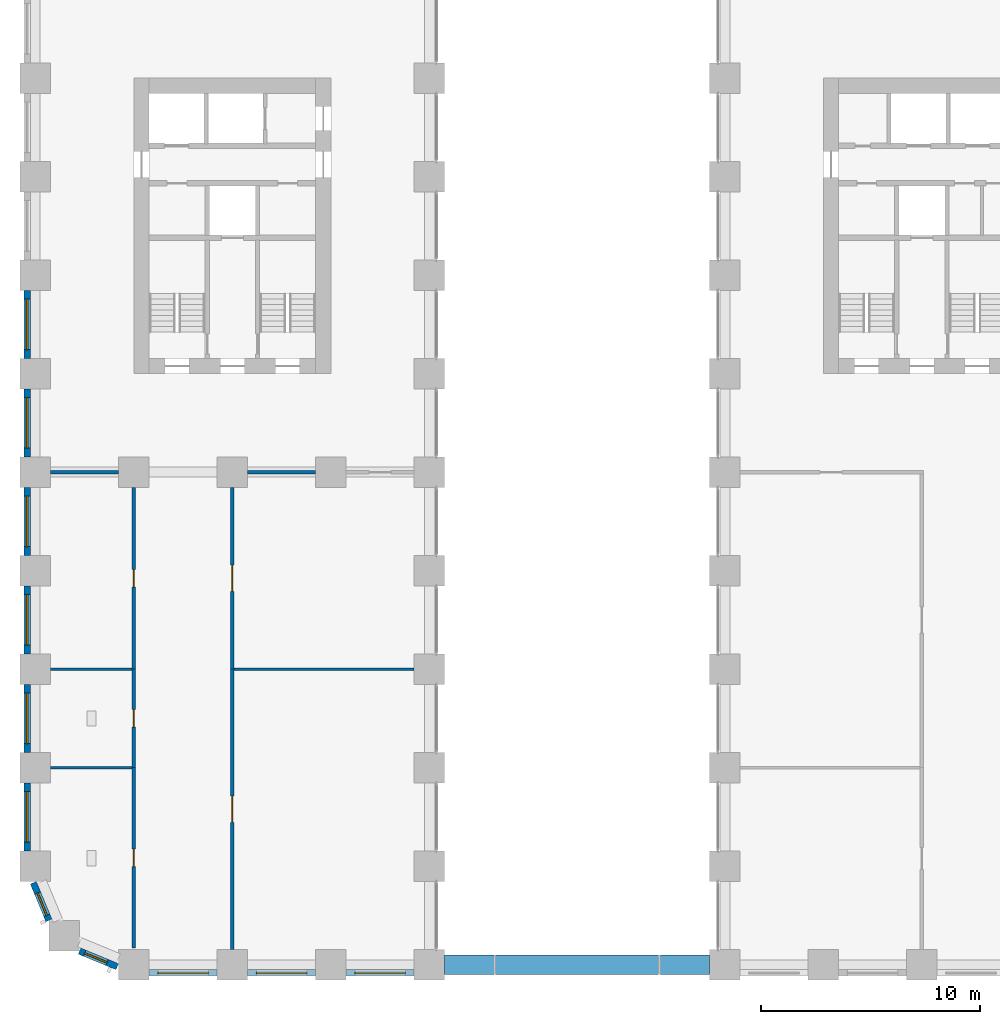
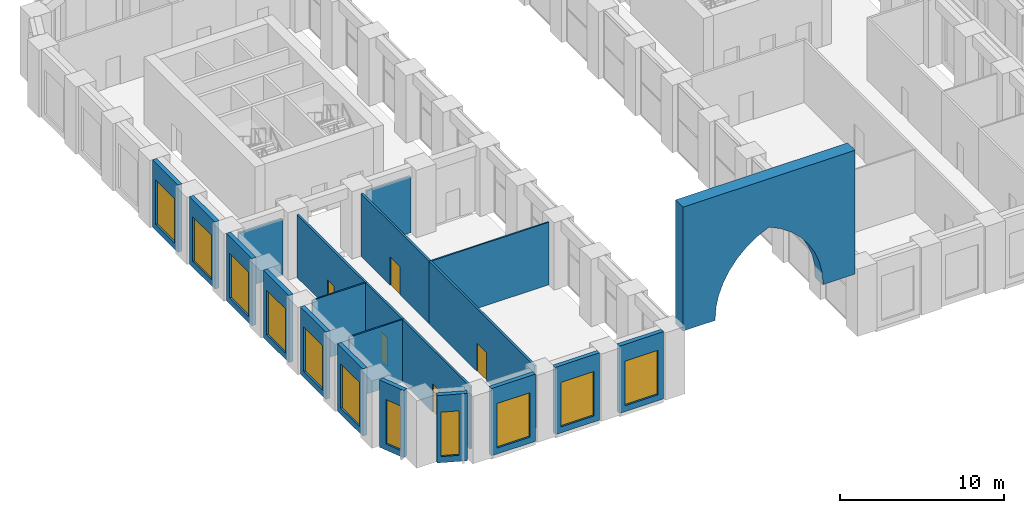
# One storey, part 10 of 25: 22 walls, 11 windows, 5 doors, 16 openings.
"""IFC4 building model written with IfcOpenShell, lengths in metres."""

from ifc_helpers import new_model, si_unit, direction, frame, frame_2d, origin, place, context, subcontext, project, spatial, polyline, rectangle, outline, extrude, material, layer, layer_set, type_object, element, fill, save


model = new_model("IFC4")

# Units and contexts
model_context = context("Model", 3, precision=1e-05, world=origin(), true_north=direction((0.0, 1.0)))
body_context = subcontext(model_context, "Body", "Model", "MODEL_VIEW")
ifc_project = project(units=[si_unit("LENGTHUNIT", "METRE"), si_unit("AREAUNIT", "SQUARE_METRE"), si_unit("VOLUMEUNIT", "CUBIC_METRE"), si_unit("PLANEANGLEUNIT", "RADIAN"), si_unit("MASSUNIT", "GRAM", prefix="KILO")], contexts=[model_context])

# Site, building, storey
site_placement = place(None, origin())
site = spatial("IfcSite", under=ifc_project, at=site_placement, CompositionType="ELEMENT")
building_placement = place(site_placement, origin())
building = spatial("IfcBuilding", under=site, at=building_placement, Name="Girih Gate Residences", CompositionType="ELEMENT")
storey_placement = place(building_placement, frame((0.0, 0.0, 6.0)))
storey = spatial("IfcBuildingStorey", under=building, at=storey_placement, Name="L01", CompositionType="ELEMENT", Elevation=6.0)

# Walls
ifc_material_1 = material(Name="Gypsum board on steel studs", Category="steel")
ifc_layer_1 = layer(ifc_material_1, 0.14990234375)
ifc_layer_set_1 = layer_set([ifc_layer_1], Name="Compartment wall 150 mm")
wall_type_1 = type_object("IfcWallType", Name="Compartment wall 150 mm", PredefinedType="PARTITIONING", material=ifc_layer_set_1)
for number, where, z_axis, x_axis, name in (
    (1, (9.699951171875, 22.5, 0.0), (0.0, 0.0, 1.0), (1.0, 0.0, 0.0), "L01 partition"),
    (2, (0.699951171875, 22.5, 0.0), (0.0, 0.0, 1.0), (1.0, 0.0, 0.0), "L01 partition"),
):
    element("IfcWall", number, at=place(storey_placement, frame(where, z_axis=z_axis, x_axis=x_axis)), inside=storey, type_object=wall_type_1, Name=name, PredefinedType="PARTITIONING", context=body_context, shape_type="SweptSolid", body=[
        extrude(rectangle(XDim=3.10009765625, YDim=0.14990234375, at=frame_2d((1.550048828125, 0.0))), origin(), (0.0, 0.0, 1.0), 4.179931640625),
    ])

# Wall, opening, door
wall_1_placement = place(storey_placement, frame((9.0, 13.5, 0.0), z_axis=(0.0, 0.0, 1.0), x_axis=(0.0, -1.0, 0.0)))
wall_1 = element("IfcWall", 3, at=wall_1_placement, inside=storey, type_object=wall_type_1, Name="L01 partition", PredefinedType="PARTITIONING", context=body_context, shape_type="SweptSolid", body=[
    extrude(rectangle(XDim=12.800048828125, YDim=0.14990234375, at=frame_2d((6.39990234375, 0.0))), origin(), (0.0, 0.0, 1.0), 4.64990234375),
])
opening_1_placement = place(wall_1_placement, frame((5.800048828125, 0.0, 0.0)))
opening_1 = element("IfcOpeningElement", 4, at=opening_1_placement, cuts=wall_1, Name="Opening D-L01-S-013", PredefinedType="OPENING", context=body_context, shape_type="SweptSolid", body=[
    extrude(rectangle(XDim=1.199951171875, YDim=2.10009765625, at=frame_2d((0.60009765625, 1.050048828125))), frame((0.0, 0.0849609375, 0.0), z_axis=(0.0, -1.0, 0.0), x_axis=(1.0, 0.0, 0.0)), (0.0, 0.0, 1.0), 0.169921875),
])
ifc_material_2 = material(Name="Timber, fire-rated core", Category="wood")
door_type_1 = type_object("IfcDoorType", Name="Gallery fire door 1200x2100 FD30S", OperationType="SINGLE_SWING_LEFT", PredefinedType="DOOR", material=ifc_material_2)
door_1_placement = place(opening_1_placement, origin())
door_1 = element("IfcDoor", 5, at=door_1_placement, inside=storey, type_object=door_type_1, Name="Door L01-013", OperationType="SINGLE_SWING_RIGHT", OverallHeight=2.10009765625, OverallWidth=1.199951171875, PredefinedType="DOOR", context=body_context, shape_type="SweptSolid", body=[
    extrude(rectangle(XDim=1.199951171875, YDim=2.10009765625, at=frame_2d((0.60009765625, 1.050048828125))), frame((0.0, 0.02490234375, 0.0), z_axis=(0.0, -1.0, 0.0), x_axis=(1.0, 0.0, 0.0)), (0.0, 0.0, 1.0), 0.050048828125),
])
fill(opening_1, door_1)

wall_2_placement = place(storey_placement, frame((9.0, 21.800048828125, 0.0), z_axis=(0.0, 0.0, 1.0), x_axis=(0.0, -1.0, 0.0)))
wall_2 = element("IfcWall", 6, at=wall_2_placement, inside=storey, type_object=wall_type_1, Name="L01 partition", PredefinedType="PARTITIONING", context=body_context, shape_type="SweptSolid", body=[
    extrude(rectangle(XDim=8.300048828125, YDim=0.14990234375, at=frame_2d((4.14990234375, 0.0))), origin(), (0.0, 0.0, 1.0), 4.64990234375),
])
opening_2_placement = place(wall_2_placement, frame((3.550048828125, 0.0, 0.0)))
opening_2 = element("IfcOpeningElement", 7, at=opening_2_placement, cuts=wall_2, Name="Opening D-L01-S-014", PredefinedType="OPENING", context=body_context, shape_type="SweptSolid", body=[
    extrude(rectangle(XDim=1.199951171875, YDim=2.10009765625, at=frame_2d((0.60009765625, 1.050048828125))), frame((0.0, 0.0849609375, 0.0), z_axis=(0.0, -1.0, 0.0), x_axis=(1.0, 0.0, 0.0)), (0.0, 0.0, 1.0), 0.169921875),
])
door_2_placement = place(opening_2_placement, origin())
door_2 = element("IfcDoor", 8, at=door_2_placement, inside=storey, type_object=door_type_1, Name="Door L01-014", OperationType="SINGLE_SWING_RIGHT", OverallHeight=2.10009765625, OverallWidth=1.199951171875, PredefinedType="DOOR", context=body_context, shape_type="SweptSolid", body=[
    extrude(rectangle(XDim=1.199951171875, YDim=2.10009765625, at=frame_2d((0.60009765625, 1.050048828125))), frame((0.0, 0.02490234375, 0.0), z_axis=(0.0, -1.0, 0.0), x_axis=(1.0, 0.0, 0.0)), (0.0, 0.0, 1.0), 0.050048828125),
])
fill(opening_2, door_2)

wall_3_placement = place(storey_placement, frame((4.5, 0.757568359375, 0.0), z_axis=(0.0, 0.0, 1.0), x_axis=(0.0, 1.0, 0.0)))
wall_3 = element("IfcWall", 9, at=wall_3_placement, inside=storey, type_object=wall_type_1, Name="L01 partition", PredefinedType="PARTITIONING", context=body_context, shape_type="SweptSolid", body=[
    extrude(rectangle(XDim=8.242431640625, YDim=0.14990234375, at=frame_2d((4.12109375, 0.0))), origin(), (0.0, 0.0, 1.0), 4.64990234375),
])
opening_3_placement = place(wall_3_placement, frame((3.72119140625, 0.0, 0.0)))
opening_3 = element("IfcOpeningElement", 10, at=opening_3_placement, cuts=wall_3, Name="Opening D-L01-S-015", PredefinedType="OPENING", context=body_context, shape_type="SweptSolid", body=[
    extrude(rectangle(XDim=0.800048828125, YDim=2.10009765625, at=frame_2d((0.39990234375, 1.050048828125))), frame((0.0, 0.0849609375, 0.0), z_axis=(0.0, -1.0, 0.0), x_axis=(1.0, 0.0, 0.0)), (0.0, 0.0, 1.0), 0.169921875),
])
ifc_material_3 = material(Name="Timber", Category="wood")
door_type_2 = type_object("IfcDoorType", Name="WC and store door 800x2100", OperationType="SINGLE_SWING_LEFT", PredefinedType="DOOR", material=ifc_material_3)
door_3_placement = place(opening_3_placement, origin())
door_3 = element("IfcDoor", 11, at=door_3_placement, inside=storey, type_object=door_type_2, Name="Door L01-015", OperationType="SINGLE_SWING_RIGHT", OverallHeight=2.10009765625, OverallWidth=0.800048828125, PredefinedType="DOOR", context=body_context, shape_type="SweptSolid", body=[
    extrude(rectangle(XDim=0.800048828125, YDim=2.10009765625, at=frame_2d((0.39990234375, 1.050048828125))), frame((0.0, 0.02490234375, 0.0), z_axis=(0.0, -1.0, 0.0), x_axis=(1.0, 0.0, 0.0)), (0.0, 0.0, 1.0), 0.050048828125),
])
fill(opening_3, door_3)

wall_4_placement = place(storey_placement, frame((4.5, 9.0, 0.0), z_axis=(0.0, 0.0, 1.0), x_axis=(0.0, 1.0, 0.0)))
wall_4 = element("IfcWall", 12, at=wall_4_placement, inside=storey, type_object=wall_type_1, Name="L01 partition", PredefinedType="PARTITIONING", context=body_context, shape_type="SweptSolid", body=[
    extrude(rectangle(XDim=4.5, YDim=0.14990234375, at=frame_2d((2.25, 0.0))), origin(), (0.0, 0.0, 1.0), 4.64990234375),
])
opening_4_placement = place(wall_4_placement, frame((1.85009765625, 0.0, 0.0)))
opening_4 = element("IfcOpeningElement", 13, at=opening_4_placement, cuts=wall_4, Name="Opening D-L01-S-016", PredefinedType="OPENING", context=body_context, shape_type="SweptSolid", body=[
    extrude(rectangle(XDim=0.800048828125, YDim=2.10009765625, at=frame_2d((0.39990234375, 1.050048828125))), frame((0.0, 0.0849609375, 0.0), z_axis=(0.0, -1.0, 0.0), x_axis=(1.0, 0.0, 0.0)), (0.0, 0.0, 1.0), 0.169921875),
])
door_4_placement = place(opening_4_placement, origin())
door_4 = element("IfcDoor", 14, at=door_4_placement, inside=storey, type_object=door_type_2, Name="Door L01-016", OperationType="SINGLE_SWING_RIGHT", OverallHeight=2.10009765625, OverallWidth=0.800048828125, PredefinedType="DOOR", context=body_context, shape_type="SweptSolid", body=[
    extrude(rectangle(XDim=0.800048828125, YDim=2.10009765625, at=frame_2d((0.39990234375, 1.050048828125))), frame((0.0, 0.02490234375, 0.0), z_axis=(0.0, -1.0, 0.0), x_axis=(1.0, 0.0, 0.0)), (0.0, 0.0, 1.0), 0.050048828125),
])
fill(opening_4, door_4)

wall_5_placement = place(storey_placement, frame((4.5, 13.5, 0.0), z_axis=(0.0, 0.0, 1.0), x_axis=(0.0, 1.0, 0.0)))
wall_5 = element("IfcWall", 15, at=wall_5_placement, inside=storey, type_object=wall_type_1, Name="L01 partition", PredefinedType="PARTITIONING", context=body_context, shape_type="SweptSolid", body=[
    extrude(rectangle(XDim=8.300048828125, YDim=0.14990234375, at=frame_2d((4.14990234375, 0.0))), origin(), (0.0, 0.0, 1.0), 4.64990234375),
])
opening_5_placement = place(wall_5_placement, frame((3.75, 0.0, 0.0)))
opening_5 = element("IfcOpeningElement", 16, at=opening_5_placement, cuts=wall_5, Name="Opening D-L01-S-017", PredefinedType="OPENING", context=body_context, shape_type="SweptSolid", body=[
    extrude(rectangle(XDim=0.800048828125, YDim=2.10009765625, at=frame_2d((0.39990234375, 1.050048828125))), frame((0.0, 0.0849609375, 0.0), z_axis=(0.0, -1.0, 0.0), x_axis=(1.0, 0.0, 0.0)), (0.0, 0.0, 1.0), 0.169921875),
])
door_5_placement = place(opening_5_placement, origin())
door_5 = element("IfcDoor", 17, at=door_5_placement, inside=storey, type_object=door_type_2, Name="Door L01-017", OperationType="SINGLE_SWING_LEFT", OverallHeight=2.10009765625, OverallWidth=0.800048828125, PredefinedType="DOOR", context=body_context, shape_type="SweptSolid", body=[
    extrude(rectangle(XDim=0.800048828125, YDim=2.10009765625, at=frame_2d((0.39990234375, 1.050048828125))), frame((0.0, 0.02490234375, 0.0), z_axis=(0.0, -1.0, 0.0), x_axis=(1.0, 0.0, 0.0)), (0.0, 0.0, 1.0), 0.050048828125),
])
fill(opening_5, door_5)

# Walls
ifc_layer_2 = layer(ifc_material_1, 0.10009765625)
ifc_layer_set_2 = layer_set([ifc_layer_2], Name="Partition 100 mm")
wall_type_2 = type_object("IfcWallType", Name="Partition 100 mm", PredefinedType="PARTITIONING", material=ifc_layer_set_2)
wall_6_placement = place(storey_placement, frame((9.074951171875, 13.5, 0.0), z_axis=(0.0, 0.0, 1.0), x_axis=(1.0, 0.0, 0.0)))
element("IfcWall", 18, at=wall_6_placement, inside=storey, type_object=wall_type_2, Name="L01 partition", PredefinedType="PARTITIONING", context=body_context, shape_type="SweptSolid", body=[
    extrude(rectangle(XDim=8.22509765625, YDim=0.10009765625, at=frame_2d((4.112548828125, 0.0))), origin(), (0.0, 0.0, 1.0), 4.64990234375),
])
for number, where, z_axis, x_axis, name in (
    (19, (0.699951171875, 9.0, 0.0), (0.0, 0.0, 1.0), (1.0, 0.0, 0.0), "L01 partition"),
    (20, (0.699951171875, 13.5, 0.0), (0.0, 0.0, 1.0), (1.0, 0.0, 0.0), "L01 partition"),
):
    element("IfcWall", number, at=place(storey_placement, frame(where, z_axis=z_axis, x_axis=x_axis)), inside=storey, type_object=wall_type_2, Name=name, PredefinedType="PARTITIONING", context=body_context, shape_type="SweptSolid", body=[
        extrude(rectangle(XDim=3.72509765625, YDim=0.10009765625, at=frame_2d((1.862548828125, 0.0))), origin(), (0.0, 0.0, 1.0), 4.64990234375),
    ])
ifc_material_4 = material(Name="Precast concrete C60/75", Category="concrete")
ifc_layer_3 = layer(ifc_material_4, 0.89990234375)
ifc_layer_set_3 = layer_set([ifc_layer_3], Name="Pishtaq spandrel panel 900")
wall_type_3 = type_object("IfcWallType", Name="Pishtaq spandrel panel 900", PredefinedType="SOLIDWALL", material=ifc_layer_set_3)
wall_7_placement = place(storey_placement, frame((18.699951171875, 0.449951171875, 13.699951171875), z_axis=(0.0, 1.0, 0.0), x_axis=(1.0, 0.0, 0.0)))
element("IfcWall", 21, at=wall_7_placement, inside=storey, type_object=wall_type_3, Name="Pishtaq panel S", PredefinedType="SOLIDWALL", context=body_context, shape_type="SweptSolid", body=[
    extrude(outline(polyline([(0.0, 0.0), (12.10009765625, 0.0), (12.10009765625, 9.199951171875), (9.85009765625, 9.199951171875), (9.85009765625, 9.199951171875), (9.783203125, 8.304931640625), (9.584228515625, 7.429931640625), (9.257568359375, 6.59423828125), (8.810302734375, 5.816162109375), (8.25244140625, 5.113037109375), (7.5966796875, 4.500732421875), (6.85693359375, 3.99267578125), (6.050048828125, 3.599853515625), (5.2431640625, 3.99267578125), (4.50341796875, 4.500732421875), (3.84765625, 5.113037109375), (3.289794921875, 5.816162109375), (2.842529296875, 6.59423828125), (2.515869140625, 7.429931640625), (2.31689453125, 8.304931640625), (2.25, 9.199951171875), (2.25, 9.199951171875), (0.0, 9.199951171875), (0.0, 0.0)])), origin(), (0.0, 0.0, -1.0), 0.89990234375),
])

# Wall, opening, window
ifc_material_5 = material(Name="Precast concrete C50/60", Category="concrete")
ifc_layer_4 = layer(ifc_material_5, 0.080078125, Name="Outer leaf")
ifc_material_6 = material(Name="Rigid PIR insulation")
ifc_layer_5 = layer(ifc_material_6, 0.14990234375, Name="Insulation")
ifc_material_7 = material(Name="Precast concrete C40/50", Category="concrete")
ifc_layer_6 = layer(ifc_material_7, 0.070068359375, Name="Inner leaf")
ifc_layer_set_4 = layer_set([ifc_layer_4, ifc_layer_5, ifc_layer_6], Name="Precast concrete C50/60 external wall 300")
wall_type_4 = type_object("IfcWallType", Name="Precast concrete C50/60 external wall 300", PredefinedType="SOLIDWALL", material=ifc_layer_set_4)
wall_8_placement = place(storey_placement, frame((-0.375, 27.699951171875, 0.0), z_axis=(0.0, 0.0, 1.0), x_axis=(0.0, 1.0, 0.0)))
wall_8 = element("IfcWall", 22, at=wall_8_placement, inside=storey, type_object=wall_type_4, Name="External wall W0000_0450.3", PredefinedType="SOLIDWALL", context=body_context, shape_type="SweptSolid", body=[
    extrude(rectangle(XDim=3.10009765625, YDim=0.300048828125, at=frame_2d((1.550048828125, 0.0))), origin(), (0.0, 0.0, 1.0), 5.0),
])
opening_6_placement = place(wall_8_placement, frame((0.39990234375, 0.0, 0.449951171875)))
opening_6 = element("IfcOpeningElement", 23, at=opening_6_placement, cuts=wall_8, Name="Opening W-3", PredefinedType="OPENING", context=body_context, shape_type="SweptSolid", body=[
    extrude(rectangle(XDim=2.300048828125, YDim=3.300048828125, at=frame_2d((1.14990234375, 1.64990234375))), frame((0.0, 0.159912109375, 0.0), z_axis=(0.0, -1.0, 0.0), x_axis=(1.0, 0.0, 0.0)), (0.0, 0.0, 1.0), 0.320068359375),
])
ifc_material_8 = material(Name="Double glazing in aluminium frame", Category="aluminium")
window_type_1 = type_object("IfcWindowType", Name="Window W-3 2300x3300", PartitioningType="SINGLE_PANEL", PredefinedType="WINDOW", material=ifc_material_8)
window_1_placement = place(opening_6_placement, origin())
window_1 = element("IfcWindow", 24, at=window_1_placement, inside=storey, type_object=window_type_1, Name="Window W-3 W0000_0450.3", OverallHeight=3.300048828125, OverallWidth=2.300048828125, PartitioningType="SINGLE_PANEL", PredefinedType="WINDOW", context=body_context, shape_type="SweptSolid", body=[
    extrude(rectangle(XDim=2.300048828125, YDim=3.300048828125, at=frame_2d((1.14990234375, 1.64990234375))), frame((0.0, 0.030029296875, 0.0), z_axis=(0.0, -1.0, 0.0), x_axis=(1.0, 0.0, 0.0)), (0.0, 0.0, 1.0), 0.06005859375),
])
fill(opening_6, window_1)

wall_9_placement = place(storey_placement, frame((-0.375, 23.199951171875, 0.0), z_axis=(0.0, 0.0, 1.0), x_axis=(0.0, 1.0, 0.0)))
wall_9 = element("IfcWall", 25, at=wall_9_placement, inside=storey, type_object=wall_type_4, Name="External wall W0000_0450.4", PredefinedType="SOLIDWALL", context=body_context, shape_type="SweptSolid", body=[
    extrude(rectangle(XDim=3.10009765625, YDim=0.300048828125, at=frame_2d((1.550048828125, 0.0))), origin(), (0.0, 0.0, 1.0), 5.0),
])
opening_7_placement = place(wall_9_placement, frame((0.39990234375, 0.0, 0.449951171875)))
opening_7 = element("IfcOpeningElement", 26, at=opening_7_placement, cuts=wall_9, Name="Opening W-3", PredefinedType="OPENING", context=body_context, shape_type="SweptSolid", body=[
    extrude(rectangle(XDim=2.300048828125, YDim=3.300048828125, at=frame_2d((1.14990234375, 1.64990234375))), frame((0.0, 0.159912109375, 0.0), z_axis=(0.0, -1.0, 0.0), x_axis=(1.0, 0.0, 0.0)), (0.0, 0.0, 1.0), 0.320068359375),
])
window_2_placement = place(opening_7_placement, origin())
window_2 = element("IfcWindow", 27, at=window_2_placement, inside=storey, type_object=window_type_1, Name="Window W-3 W0000_0450.4", OverallHeight=3.300048828125, OverallWidth=2.300048828125, PartitioningType="SINGLE_PANEL", PredefinedType="WINDOW", context=body_context, shape_type="SweptSolid", body=[
    extrude(rectangle(XDim=2.300048828125, YDim=3.300048828125, at=frame_2d((1.14990234375, 1.64990234375))), frame((0.0, 0.030029296875, 0.0), z_axis=(0.0, -1.0, 0.0), x_axis=(1.0, 0.0, 0.0)), (0.0, 0.0, 1.0), 0.06005859375),
])
fill(opening_7, window_2)

wall_10_placement = place(storey_placement, frame((-0.375, 18.699951171875, 0.0), z_axis=(0.0, 0.0, 1.0), x_axis=(0.0, 1.0, 0.0)))
wall_10 = element("IfcWall", 28, at=wall_10_placement, inside=storey, type_object=wall_type_4, Name="External wall W0000_0450.5", PredefinedType="SOLIDWALL", context=body_context, shape_type="SweptSolid", body=[
    extrude(rectangle(XDim=3.10009765625, YDim=0.300048828125, at=frame_2d((1.550048828125, 0.0))), origin(), (0.0, 0.0, 1.0), 5.0),
])
opening_8_placement = place(wall_10_placement, frame((0.39990234375, 0.0, 0.449951171875)))
opening_8 = element("IfcOpeningElement", 29, at=opening_8_placement, cuts=wall_10, Name="Opening W-3", PredefinedType="OPENING", context=body_context, shape_type="SweptSolid", body=[
    extrude(rectangle(XDim=2.300048828125, YDim=3.300048828125, at=frame_2d((1.14990234375, 1.64990234375))), frame((0.0, 0.159912109375, 0.0), z_axis=(0.0, -1.0, 0.0), x_axis=(1.0, 0.0, 0.0)), (0.0, 0.0, 1.0), 0.320068359375),
])
window_3_placement = place(opening_8_placement, origin())
window_3 = element("IfcWindow", 30, at=window_3_placement, inside=storey, type_object=window_type_1, Name="Window W-3 W0000_0450.5", OverallHeight=3.300048828125, OverallWidth=2.300048828125, PartitioningType="SINGLE_PANEL", PredefinedType="WINDOW", context=body_context, shape_type="SweptSolid", body=[
    extrude(rectangle(XDim=2.300048828125, YDim=3.300048828125, at=frame_2d((1.14990234375, 1.64990234375))), frame((0.0, 0.030029296875, 0.0), z_axis=(0.0, -1.0, 0.0), x_axis=(1.0, 0.0, 0.0)), (0.0, 0.0, 1.0), 0.06005859375),
])
fill(opening_8, window_3)

wall_11_placement = place(storey_placement, frame((-0.375, 14.199951171875, 0.0), z_axis=(0.0, 0.0, 1.0), x_axis=(0.0, 1.0, 0.0)))
wall_11 = element("IfcWall", 31, at=wall_11_placement, inside=storey, type_object=wall_type_4, Name="External wall W0000_0450.6", PredefinedType="SOLIDWALL", context=body_context, shape_type="SweptSolid", body=[
    extrude(rectangle(XDim=3.10009765625, YDim=0.300048828125, at=frame_2d((1.550048828125, 0.0))), origin(), (0.0, 0.0, 1.0), 5.0),
])
opening_9_placement = place(wall_11_placement, frame((0.39990234375, 0.0, 0.449951171875)))
opening_9 = element("IfcOpeningElement", 32, at=opening_9_placement, cuts=wall_11, Name="Opening W-3", PredefinedType="OPENING", context=body_context, shape_type="SweptSolid", body=[
    extrude(rectangle(XDim=2.300048828125, YDim=3.300048828125, at=frame_2d((1.14990234375, 1.64990234375))), frame((0.0, 0.159912109375, 0.0), z_axis=(0.0, -1.0, 0.0), x_axis=(1.0, 0.0, 0.0)), (0.0, 0.0, 1.0), 0.320068359375),
])
window_4_placement = place(opening_9_placement, origin())
window_4 = element("IfcWindow", 33, at=window_4_placement, inside=storey, type_object=window_type_1, Name="Window W-3 W0000_0450.6", OverallHeight=3.300048828125, OverallWidth=2.300048828125, PartitioningType="SINGLE_PANEL", PredefinedType="WINDOW", context=body_context, shape_type="SweptSolid", body=[
    extrude(rectangle(XDim=2.300048828125, YDim=3.300048828125, at=frame_2d((1.14990234375, 1.64990234375))), frame((0.0, 0.030029296875, 0.0), z_axis=(0.0, -1.0, 0.0), x_axis=(1.0, 0.0, 0.0)), (0.0, 0.0, 1.0), 0.06005859375),
])
fill(opening_9, window_4)

wall_12_placement = place(storey_placement, frame((-0.375, 9.699951171875, 0.0), z_axis=(0.0, 0.0, 1.0), x_axis=(0.0, 1.0, 0.0)))
wall_12 = element("IfcWall", 34, at=wall_12_placement, inside=storey, type_object=wall_type_4, Name="External wall W0000_0450.7", PredefinedType="SOLIDWALL", context=body_context, shape_type="SweptSolid", body=[
    extrude(rectangle(XDim=3.10009765625, YDim=0.300048828125, at=frame_2d((1.550048828125, 0.0))), origin(), (0.0, 0.0, 1.0), 5.0),
])
opening_10_placement = place(wall_12_placement, frame((0.39990234375, 0.0, 0.449951171875)))
opening_10 = element("IfcOpeningElement", 35, at=opening_10_placement, cuts=wall_12, Name="Opening W-3", PredefinedType="OPENING", context=body_context, shape_type="SweptSolid", body=[
    extrude(rectangle(XDim=2.300048828125, YDim=3.300048828125, at=frame_2d((1.14990234375, 1.64990234375))), frame((0.0, 0.159912109375, 0.0), z_axis=(0.0, -1.0, 0.0), x_axis=(1.0, 0.0, 0.0)), (0.0, 0.0, 1.0), 0.320068359375),
])
window_5_placement = place(opening_10_placement, origin())
window_5 = element("IfcWindow", 36, at=window_5_placement, inside=storey, type_object=window_type_1, Name="Window W-3 W0000_0450.7", OverallHeight=3.300048828125, OverallWidth=2.300048828125, PartitioningType="SINGLE_PANEL", PredefinedType="WINDOW", context=body_context, shape_type="SweptSolid", body=[
    extrude(rectangle(XDim=2.300048828125, YDim=3.300048828125, at=frame_2d((1.14990234375, 1.64990234375))), frame((0.0, 0.030029296875, 0.0), z_axis=(0.0, -1.0, 0.0), x_axis=(1.0, 0.0, 0.0)), (0.0, 0.0, 1.0), 0.06005859375),
])
fill(opening_10, window_5)

wall_13_placement = place(storey_placement, frame((-0.375, 5.199951171875, 0.0), z_axis=(0.0, 0.0, 1.0), x_axis=(0.0, 1.0, 0.0)))
wall_13 = element("IfcWall", 37, at=wall_13_placement, inside=storey, type_object=wall_type_4, Name="External wall W0000_0450.8", PredefinedType="SOLIDWALL", context=body_context, shape_type="SweptSolid", body=[
    extrude(rectangle(XDim=3.10009765625, YDim=0.300048828125, at=frame_2d((1.550048828125, 0.0))), origin(), (0.0, 0.0, 1.0), 5.0),
])
opening_11_placement = place(wall_13_placement, frame((0.39990234375, 0.0, 0.449951171875)))
opening_11 = element("IfcOpeningElement", 38, at=opening_11_placement, cuts=wall_13, Name="Opening W-3", PredefinedType="OPENING", context=body_context, shape_type="SweptSolid", body=[
    extrude(rectangle(XDim=2.300048828125, YDim=3.300048828125, at=frame_2d((1.14990234375, 1.64990234375))), frame((0.0, 0.159912109375, 0.0), z_axis=(0.0, -1.0, 0.0), x_axis=(1.0, 0.0, 0.0)), (0.0, 0.0, 1.0), 0.320068359375),
])
window_6_placement = place(opening_11_placement, origin())
window_6 = element("IfcWindow", 39, at=window_6_placement, inside=storey, type_object=window_type_1, Name="Window W-3 W0000_0450.8", OverallHeight=3.300048828125, OverallWidth=2.300048828125, PartitioningType="SINGLE_PANEL", PredefinedType="WINDOW", context=body_context, shape_type="SweptSolid", body=[
    extrude(rectangle(XDim=2.300048828125, YDim=3.300048828125, at=frame_2d((1.14990234375, 1.64990234375))), frame((0.0, 0.030029296875, 0.0), z_axis=(0.0, -1.0, 0.0), x_axis=(1.0, 0.0, 0.0)), (0.0, 0.0, 1.0), 0.06005859375),
])
fill(opening_11, window_6)

wall_14_placement = place(storey_placement, frame((0.62158203125, 2.01953125, 0.0), z_axis=(0.0, 0.0, 1.0), x_axis=(-0.38262540684, 0.923903565336, 0.0)))
wall_14 = element("IfcWall", 40, at=wall_14_placement, inside=storey, type_object=wall_type_4, Name="External wall SW0000_0045.0", PredefinedType="SOLIDWALL", context=body_context, shape_type="SweptSolid", body=[
    extrude(rectangle(XDim=1.864990234375, YDim=0.300048828125, at=frame_2d((0.9326171875, 0.0))), origin(), (0.0, 0.0, 1.0), 5.0),
])
opening_12_placement = place(wall_14_placement, frame((0.257568359375, 0.0, 0.449951171875)))
opening_12 = element("IfcOpeningElement", 41, at=opening_12_placement, cuts=wall_14, Name="Opening W-2A", PredefinedType="OPENING", context=body_context, shape_type="SweptSolid", body=[
    extrude(rectangle(XDim=1.10009765625, YDim=3.300048828125, at=frame_2d((0.550048828125, 1.64990234375))), frame((0.0, 0.159912109375, 0.0), z_axis=(0.0, -1.0, 0.0), x_axis=(1.0, 0.0, 0.0)), (0.0, 0.0, 1.0), 0.320068359375),
])
window_type_2 = type_object("IfcWindowType", Name="Window W-2A 1100x3300", PartitioningType="SINGLE_PANEL", PredefinedType="WINDOW", material=ifc_material_8)
window_7_placement = place(opening_12_placement, origin())
window_7 = element("IfcWindow", 42, at=window_7_placement, inside=storey, type_object=window_type_2, Name="Window W-2A SW0000_0045.0", OverallHeight=3.300048828125, OverallWidth=1.10009765625, PartitioningType="SINGLE_PANEL", PredefinedType="WINDOW", context=body_context, shape_type="SweptSolid", body=[
    extrude(rectangle(XDim=1.10009765625, YDim=3.300048828125, at=frame_2d((0.550048828125, 1.64990234375))), frame((0.0, 0.030029296875, 0.0), z_axis=(0.0, -1.0, 0.0), x_axis=(1.0, 0.0, 0.0)), (0.0, 0.0, 1.0), 0.06005859375),
])
fill(opening_12, window_7)

wall_15_placement = place(storey_placement, frame((3.74267578125, -0.09228515625, 0.0), z_axis=(0.0, 0.0, 1.0), x_axis=(-0.923857286003, 0.382737135771, 0.0)))
wall_15 = element("IfcWall", 43, at=wall_15_placement, inside=storey, type_object=wall_type_4, Name="External wall SW0013_0013.0", PredefinedType="SOLIDWALL", context=body_context, shape_type="SweptSolid", body=[
    extrude(rectangle(XDim=1.865234375, YDim=0.300048828125, at=frame_2d((0.9326171875, 0.0))), origin(), (0.0, 0.0, 1.0), 5.0),
])
opening_13_placement = place(wall_15_placement, frame((0.507568359375, 0.0, 0.449951171875)))
opening_13 = element("IfcOpeningElement", 44, at=opening_13_placement, cuts=wall_15, Name="Opening W-2A", PredefinedType="OPENING", context=body_context, shape_type="SweptSolid", body=[
    extrude(rectangle(XDim=1.10009765625, YDim=3.300048828125, at=frame_2d((0.550048828125, 1.64990234375))), frame((0.0, 0.159912109375, 0.0), z_axis=(0.0, -1.0, 0.0), x_axis=(1.0, 0.0, 0.0)), (0.0, 0.0, 1.0), 0.320068359375),
])
window_8_placement = place(opening_13_placement, origin())
window_8 = element("IfcWindow", 45, at=window_8_placement, inside=storey, type_object=window_type_2, Name="Window W-2A SW0013_0013.0", OverallHeight=3.300048828125, OverallWidth=1.10009765625, PartitioningType="SINGLE_PANEL", PredefinedType="WINDOW", context=body_context, shape_type="SweptSolid", body=[
    extrude(rectangle(XDim=1.10009765625, YDim=3.300048828125, at=frame_2d((0.550048828125, 1.64990234375))), frame((0.0, 0.030029296875, 0.0), z_axis=(0.0, -1.0, 0.0), x_axis=(1.0, 0.0, 0.0)), (0.0, 0.0, 1.0), 0.06005859375),
])
fill(opening_13, window_8)

wall_16_placement = place(storey_placement, frame((8.300048828125, -0.375, 0.0), z_axis=(0.0, 0.0, 1.0), x_axis=(-1.0, 0.0, 0.0)))
wall_16 = element("IfcWall", 46, at=wall_16_placement, inside=storey, type_object=wall_type_4, Name="External wall S0045_0000.0", PredefinedType="SOLIDWALL", context=body_context, shape_type="SweptSolid", body=[
    extrude(rectangle(XDim=3.10009765625, YDim=0.300048828125, at=frame_2d((1.550048828125, 0.0))), origin(), (0.0, 0.0, 1.0), 5.0),
])
opening_14_placement = place(wall_16_placement, frame((0.39990234375, 0.0, 0.449951171875)))
opening_14 = element("IfcOpeningElement", 47, at=opening_14_placement, cuts=wall_16, Name="Opening W-3", PredefinedType="OPENING", context=body_context, shape_type="SweptSolid", body=[
    extrude(rectangle(XDim=2.300048828125, YDim=3.300048828125, at=frame_2d((1.14990234375, 1.64990234375))), frame((0.0, 0.159912109375, 0.0), z_axis=(0.0, -1.0, 0.0), x_axis=(1.0, 0.0, 0.0)), (0.0, 0.0, 1.0), 0.320068359375),
])
window_9_placement = place(opening_14_placement, origin())
window_9 = element("IfcWindow", 48, at=window_9_placement, inside=storey, type_object=window_type_1, Name="Window W-3 S0045_0000.0", OverallHeight=3.300048828125, OverallWidth=2.300048828125, PartitioningType="SINGLE_PANEL", PredefinedType="WINDOW", context=body_context, shape_type="SweptSolid", body=[
    extrude(rectangle(XDim=2.300048828125, YDim=3.300048828125, at=frame_2d((1.14990234375, 1.64990234375))), frame((0.0, 0.030029296875, 0.0), z_axis=(0.0, -1.0, 0.0), x_axis=(1.0, 0.0, 0.0)), (0.0, 0.0, 1.0), 0.06005859375),
])
fill(opening_14, window_9)

wall_17_placement = place(storey_placement, frame((12.800048828125, -0.375, 0.0), z_axis=(0.0, 0.0, 1.0), x_axis=(-1.0, 0.0, 0.0)))
wall_17 = element("IfcWall", 49, at=wall_17_placement, inside=storey, type_object=wall_type_4, Name="External wall S0045_0000.1", PredefinedType="SOLIDWALL", context=body_context, shape_type="SweptSolid", body=[
    extrude(rectangle(XDim=3.10009765625, YDim=0.300048828125, at=frame_2d((1.550048828125, 0.0))), origin(), (0.0, 0.0, 1.0), 5.0),
])
opening_15_placement = place(wall_17_placement, frame((0.39990234375, 0.0, 0.449951171875)))
opening_15 = element("IfcOpeningElement", 50, at=opening_15_placement, cuts=wall_17, Name="Opening W-3", PredefinedType="OPENING", context=body_context, shape_type="SweptSolid", body=[
    extrude(rectangle(XDim=2.300048828125, YDim=3.300048828125, at=frame_2d((1.14990234375, 1.64990234375))), frame((0.0, 0.159912109375, 0.0), z_axis=(0.0, -1.0, 0.0), x_axis=(1.0, 0.0, 0.0)), (0.0, 0.0, 1.0), 0.320068359375),
])
window_10_placement = place(opening_15_placement, origin())
window_10 = element("IfcWindow", 51, at=window_10_placement, inside=storey, type_object=window_type_1, Name="Window W-3 S0045_0000.1", OverallHeight=3.300048828125, OverallWidth=2.300048828125, PartitioningType="SINGLE_PANEL", PredefinedType="WINDOW", context=body_context, shape_type="SweptSolid", body=[
    extrude(rectangle(XDim=2.300048828125, YDim=3.300048828125, at=frame_2d((1.14990234375, 1.64990234375))), frame((0.0, 0.030029296875, 0.0), z_axis=(0.0, -1.0, 0.0), x_axis=(1.0, 0.0, 0.0)), (0.0, 0.0, 1.0), 0.06005859375),
])
fill(opening_15, window_10)

wall_18_placement = place(storey_placement, frame((17.300048828125, -0.375, 0.0), z_axis=(0.0, 0.0, 1.0), x_axis=(-1.0, 0.0, 0.0)))
wall_18 = element("IfcWall", 52, at=wall_18_placement, inside=storey, type_object=wall_type_4, Name="External wall S0045_0000.2", PredefinedType="SOLIDWALL", context=body_context, shape_type="SweptSolid", body=[
    extrude(rectangle(XDim=3.10009765625, YDim=0.300048828125, at=frame_2d((1.550048828125, 0.0))), origin(), (0.0, 0.0, 1.0), 5.0),
])
opening_16_placement = place(wall_18_placement, frame((0.39990234375, 0.0, 0.449951171875)))
opening_16 = element("IfcOpeningElement", 53, at=opening_16_placement, cuts=wall_18, Name="Opening W-3", PredefinedType="OPENING", context=body_context, shape_type="SweptSolid", body=[
    extrude(rectangle(XDim=2.300048828125, YDim=3.300048828125, at=frame_2d((1.14990234375, 1.64990234375))), frame((0.0, 0.159912109375, 0.0), z_axis=(0.0, -1.0, 0.0), x_axis=(1.0, 0.0, 0.0)), (0.0, 0.0, 1.0), 0.320068359375),
])
window_11_placement = place(opening_16_placement, origin())
window_11 = element("IfcWindow", 54, at=window_11_placement, inside=storey, type_object=window_type_1, Name="Window W-3 S0045_0000.2", OverallHeight=3.300048828125, OverallWidth=2.300048828125, PartitioningType="SINGLE_PANEL", PredefinedType="WINDOW", context=body_context, shape_type="SweptSolid", body=[
    extrude(rectangle(XDim=2.300048828125, YDim=3.300048828125, at=frame_2d((1.14990234375, 1.64990234375))), frame((0.0, 0.030029296875, 0.0), z_axis=(0.0, -1.0, 0.0), x_axis=(1.0, 0.0, 0.0)), (0.0, 0.0, 1.0), 0.06005859375),
])
fill(opening_16, window_11)

save(model, "model.ifc")
